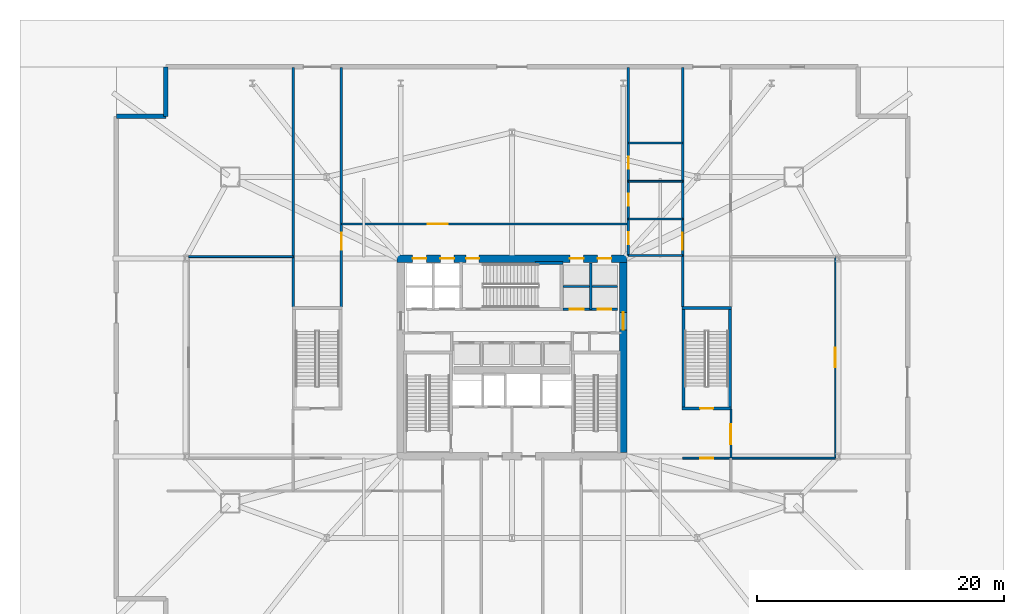
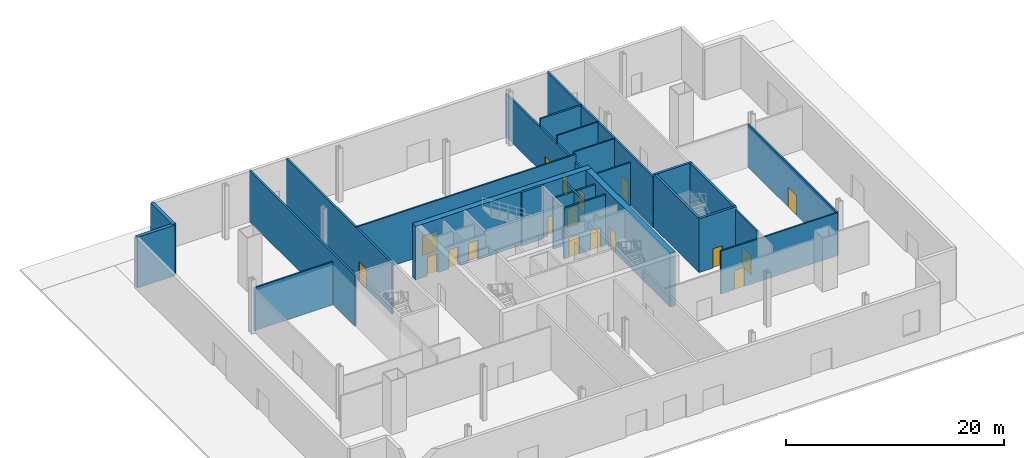
# One storey, part 5 of 10: 25 walls, 18 doors, 18 openings.
"""IFC4 building model written with IfcOpenShell, lengths in metres."""

from ifc_helpers import new_model, si_unit, direction, frame, frame_2d, origin, place, context, subcontext, project, spatial, rectangle, extrude, material, layer, layer_set, type_object, element, fill, save


model = new_model("IFC4")

# Units and contexts
model_context = context("Model", 3, precision=1e-05, world=origin(), true_north=direction((0.0, 1.0)))
body_context = subcontext(model_context, "Body", "Model", "MODEL_VIEW")
ifc_project = project(units=[si_unit("LENGTHUNIT", "METRE"), si_unit("AREAUNIT", "SQUARE_METRE"), si_unit("VOLUMEUNIT", "CUBIC_METRE"), si_unit("PLANEANGLEUNIT", "RADIAN"), si_unit("MASSUNIT", "GRAM", prefix="KILO")], contexts=[model_context])

# Site, building, storey
site_placement = place(None, origin())
site = spatial("IfcSite", under=ifc_project, at=site_placement, CompositionType="ELEMENT")
building_placement = place(site_placement, origin())
building = spatial("IfcBuilding", under=site, at=building_placement, Name="Haldenkirk Collegiate Tower", CompositionType="ELEMENT")
storey_placement = place(building_placement, origin())
storey = spatial("IfcBuildingStorey", under=building, at=storey_placement, Name="L00", CompositionType="ELEMENT", Elevation=0.0)

# Wall, openings, doors
ifc_material_1 = material(Name="Concrete f'c 70 MPa", Category="concrete")
ifc_layer_1 = layer(ifc_material_1, 0.60009765625)
ifc_layer_set_1 = layer_set([ifc_layer_1], Name="Concrete f'c 70 MPa")
wall_type_1 = type_object("IfcWallType", Name="WL-CORE-600", PredefinedType="SHEAR", material=ifc_layer_set_1)
wall_1_placement = place(storey_placement, frame((26.699951171875, 34.0, 0.0), z_axis=(0.0, 0.0, 1.0), x_axis=(1.0, 0.0, 0.0)))
wall_1 = element("IfcWall", 1, at=wall_1_placement, inside=storey, type_object=wall_type_1, Name="L00 central core shear wall N", PredefinedType="SHEAR", context=body_context, shape_type="SweptSolid", body=[
    extrude(rectangle(XDim=18.60009765625, YDim=0.60009765625, at=frame_2d((9.300048828125, 0.0))), origin(), (0.0, 0.0, 1.0), 6.0),
])
opening_1_placement = place(wall_1_placement, frame((5.594970703125, 0.0, 0.0)))
opening_1 = element("IfcOpeningElement", 2, at=opening_1_placement, cuts=wall_1, Name="Opening D-01", PredefinedType="OPENING", context=body_context, shape_type="SweptSolid", body=[
    extrude(rectangle(XDim=1.050048828125, YDim=2.14990234375, at=frame_2d((0.52490234375, 1.074951171875))), frame((0.0, 0.31005859375, 0.0), z_axis=(0.0, -1.0, 0.0), x_axis=(1.0, 0.0, 0.0)), (0.0, 0.0, 1.0), 0.6201171875),
])
opening_2_placement = place(wall_1_placement, frame((1.264892578125, 0.0, 0.0)))
opening_2 = element("IfcOpeningElement", 3, at=opening_2_placement, cuts=wall_1, Name="Opening LD-11", PredefinedType="OPENING", context=body_context, shape_type="SweptSolid", body=[
    extrude(rectangle(XDim=1.10009765625, YDim=2.14990234375, at=frame_2d((0.550048828125, 1.074951171875))), frame((0.0, 0.31005859375, 0.0), z_axis=(0.0, -1.0, 0.0), x_axis=(1.0, 0.0, 0.0)), (0.0, 0.0, 1.0), 0.6201171875),
])
opening_3_placement = place(wall_1_placement, frame((3.514892578125, 0.0, 0.0)))
opening_3 = element("IfcOpeningElement", 4, at=opening_3_placement, cuts=wall_1, Name="Opening LD-11", PredefinedType="OPENING", context=body_context, shape_type="SweptSolid", body=[
    extrude(rectangle(XDim=1.10009765625, YDim=2.14990234375, at=frame_2d((0.550048828125, 1.074951171875))), frame((0.0, 0.31005859375, 0.0), z_axis=(0.0, -1.0, 0.0), x_axis=(1.0, 0.0, 0.0)), (0.0, 0.0, 1.0), 0.6201171875),
])
opening_4_placement = place(wall_1_placement, frame((13.985107421875, 0.0, 0.0)))
opening_4 = element("IfcOpeningElement", 5, at=opening_4_placement, cuts=wall_1, Name="Opening LD-11", PredefinedType="OPENING", context=body_context, shape_type="SweptSolid", body=[
    extrude(rectangle(XDim=1.10009765625, YDim=2.14990234375, at=frame_2d((0.550048828125, 1.074951171875))), frame((0.0, 0.31005859375, 0.0), z_axis=(0.0, -1.0, 0.0), x_axis=(1.0, 0.0, 0.0)), (0.0, 0.0, 1.0), 0.6201171875),
])
opening_5_placement = place(wall_1_placement, frame((16.235107421875, 0.0, 0.0)))
opening_5 = element("IfcOpeningElement", 6, at=opening_5_placement, cuts=wall_1, Name="Opening LD-11", PredefinedType="OPENING", context=body_context, shape_type="SweptSolid", body=[
    extrude(rectangle(XDim=1.10009765625, YDim=2.14990234375, at=frame_2d((0.550048828125, 1.074951171875))), frame((0.0, 0.31005859375, 0.0), z_axis=(0.0, -1.0, 0.0), x_axis=(1.0, 0.0, 0.0)), (0.0, 0.0, 1.0), 0.6201171875),
])
ifc_material_2 = material(Name="Galvanized fire-rated hollow steel door", Category="steel")
ifc_layer_2 = layer(ifc_material_2, 0.06005859375)
ifc_layer_set_2 = layer_set([ifc_layer_2], Name="Galvanized fire-rated hollow steel door")
door_type_1 = type_object("IfcDoorType", Name="DR-STAIR-FD90-1050", OperationType="NOTDEFINED", PredefinedType="DOOR", material=ifc_layer_set_2)
door_1_placement = place(opening_1_placement, origin())
door_1 = element("IfcDoor", 7, at=door_1_placement, inside=storey, type_object=door_type_1, Name="L00 Stair 3 north discharge door", OperationType="SINGLE_SWING_RIGHT", OverallHeight=2.14990234375, OverallWidth=1.050048828125, PredefinedType="DOOR", context=body_context, shape_type="SweptSolid", body=[
    extrude(rectangle(XDim=1.050048828125, YDim=2.14990234375, at=frame_2d((0.52490234375, 1.074951171875))), frame((0.0, 0.02490234375, 0.0), z_axis=(0.0, -1.0, 0.0), x_axis=(1.0, 0.0, 0.0)), (0.0, 0.0, 1.0), 0.050048828125),
])
fill(opening_1, door_1)
ifc_material_3 = material(Name="Brushed architectural stainless steel", Category="steel")
ifc_layer_3 = layer(ifc_material_3, 0.06005859375)
ifc_layer_set_3 = layer_set([ifc_layer_3], Name="Brushed architectural stainless steel")
door_type_2 = type_object("IfcDoorType", Name="LD-PASS-1100", OperationType="NOTDEFINED", PredefinedType="DOOR", material=ifc_layer_set_3)
door_2_placement = place(opening_2_placement, origin())
door_2 = element("IfcDoor", 8, at=door_2_placement, inside=storey, type_object=door_type_2, Name="L00 Elevator PL3 sliding landing door", OperationType="SLIDING_TO_LEFT", OverallHeight=2.14990234375, OverallWidth=1.10009765625, PredefinedType="DOOR", context=body_context, shape_type="SweptSolid", body=[
    extrude(rectangle(XDim=1.10009765625, YDim=2.14990234375, at=frame_2d((0.550048828125, 1.074951171875))), frame((0.0, 0.02490234375, 0.0), z_axis=(0.0, -1.0, 0.0), x_axis=(1.0, 0.0, 0.0)), (0.0, 0.0, 1.0), 0.050048828125),
])
fill(opening_2, door_2)
door_3_placement = place(opening_3_placement, origin())
door_3 = element("IfcDoor", 9, at=door_3_placement, inside=storey, type_object=door_type_2, Name="L00 Elevator PL4 sliding landing door", OperationType="SLIDING_TO_LEFT", OverallHeight=2.14990234375, OverallWidth=1.10009765625, PredefinedType="DOOR", context=body_context, shape_type="SweptSolid", body=[
    extrude(rectangle(XDim=1.10009765625, YDim=2.14990234375, at=frame_2d((0.550048828125, 1.074951171875))), frame((0.0, 0.02490234375, 0.0), z_axis=(0.0, -1.0, 0.0), x_axis=(1.0, 0.0, 0.0)), (0.0, 0.0, 1.0), 0.050048828125),
])
fill(opening_3, door_3)
door_4_placement = place(opening_4_placement, origin())
door_4 = element("IfcDoor", 10, at=door_4_placement, inside=storey, type_object=door_type_2, Name="L00 Elevator PM3 sliding landing door", OperationType="SLIDING_TO_LEFT", OverallHeight=2.14990234375, OverallWidth=1.10009765625, PredefinedType="DOOR", context=body_context, shape_type="SweptSolid", body=[
    extrude(rectangle(XDim=1.10009765625, YDim=2.14990234375, at=frame_2d((0.550048828125, 1.074951171875))), frame((0.0, 0.02490234375, 0.0), z_axis=(0.0, -1.0, 0.0), x_axis=(1.0, 0.0, 0.0)), (0.0, 0.0, 1.0), 0.050048828125),
])
fill(opening_4, door_4)
door_5_placement = place(opening_5_placement, origin())
door_5 = element("IfcDoor", 11, at=door_5_placement, inside=storey, type_object=door_type_2, Name="L00 Elevator PM4 sliding landing door", OperationType="SLIDING_TO_LEFT", OverallHeight=2.14990234375, OverallWidth=1.10009765625, PredefinedType="DOOR", context=body_context, shape_type="SweptSolid", body=[
    extrude(rectangle(XDim=1.10009765625, YDim=2.14990234375, at=frame_2d((0.550048828125, 1.074951171875))), frame((0.0, 0.02490234375, 0.0), z_axis=(0.0, -1.0, 0.0), x_axis=(1.0, 0.0, 0.0)), (0.0, 0.0, 1.0), 0.050048828125),
])
fill(opening_5, door_5)

# Wall, opening, door
wall_2_placement = place(storey_placement, frame((45.0, 18.300048828125, 0.0), z_axis=(0.0, 0.0, 1.0), x_axis=(0.0, 1.0, 0.0)))
wall_2 = element("IfcWall", 12, at=wall_2_placement, inside=storey, type_object=wall_type_1, Name="L00 central core shear wall E", PredefinedType="SHEAR", context=body_context, shape_type="SweptSolid", body=[
    extrude(rectangle(XDim=15.39990234375, YDim=0.60009765625, at=frame_2d((7.699951171875, 0.0))), origin(), (0.0, 0.0, 1.0), 6.0),
])
opening_6_placement = place(wall_2_placement, frame((9.93994140625, 0.0, 0.0)))
opening_6 = element("IfcOpeningElement", 13, at=opening_6_placement, cuts=wall_2, Name="Opening D-03", PredefinedType="OPENING", context=body_context, shape_type="SweptSolid", body=[
    extrude(rectangle(XDim=1.39990234375, YDim=2.199951171875, at=frame_2d((0.699951171875, 1.10009765625))), frame((0.0, 0.31005859375, 0.0), z_axis=(0.0, -1.0, 0.0), x_axis=(1.0, 0.0, 0.0)), (0.0, 0.0, 1.0), 0.6201171875),
])
ifc_layer_4 = layer(ifc_material_2, 0.06005859375)
ifc_layer_set_4 = layer_set([ifc_layer_4], Name="Galvanized fire-rated hollow steel door")
door_type_3 = type_object("IfcDoorType", Name="DR-LOBBY-FD90-1400", OperationType="NOTDEFINED", PredefinedType="DOOR", material=ifc_layer_set_4)
door_6_placement = place(opening_6_placement, origin())
door_6 = element("IfcDoor", 14, at=door_6_placement, inside=storey, type_object=door_type_3, Name="L00 east lift lobby portal", OperationType="DOUBLE_DOOR_SINGLE_SWING", OverallHeight=2.199951171875, OverallWidth=1.39990234375, PredefinedType="DOOR", context=body_context, shape_type="SweptSolid", body=[
    extrude(rectangle(XDim=1.39990234375, YDim=2.199951171875, at=frame_2d((0.699951171875, 1.10009765625))), frame((0.0, 0.02490234375, 0.0), z_axis=(0.0, -1.0, 0.0), x_axis=(1.0, 0.0, 0.0)), (0.0, 0.0, 1.0), 0.050048828125),
])
fill(opening_6, door_6)

# Walls
ifc_material_4 = material(Name="Precast concrete f'c 40 MPa", Category="concrete")
ifc_layer_5 = layer(ifc_material_4, 0.360107421875)
ifc_layer_set_5 = layer_set([ifc_layer_5], Name="Precast concrete f'c 40 MPa")
wall_type_2 = type_object("IfcWallType", Name="WL-EXT-POD-360", PredefinedType="STANDARD", material=ifc_layer_set_5)
for number, where, z_axis, x_axis, name in (
    (15, (8.0, 45.5, 0.0), (0.0, 0.0, 1.0), (0.0, 1.0, 0.0), "L00 podium bronze precast wall 08"),
    (16, (4.0, 45.5, 0.0), (0.0, 0.0, 1.0), (1.0, 0.0, 0.0), "L00 podium bronze precast wall 09"),
):
    element("IfcWall", number, at=place(storey_placement, frame(where, z_axis=z_axis, x_axis=x_axis)), inside=storey, type_object=wall_type_2, Name=name, PredefinedType="STANDARD", context=body_context, shape_type="SweptSolid", body=[
        extrude(rectangle(XDim=4.0, YDim=0.360107421875, at=frame_2d((2.0, 0.0))), origin(), (0.0, 0.0, 1.0), 5.669921875),
    ])
ifc_material_5 = material(Name="Acoustic fire-rated gypsum partition", Category="concrete")
ifc_layer_6 = layer(ifc_material_5, 0.159912109375)
ifc_layer_set_6 = layer_set([ifc_layer_6], Name="Acoustic fire-rated gypsum partition")
wall_type_3 = type_object("IfcWallType", Name="WL-INT-CORR-160", PredefinedType="PARTITIONING", material=ifc_layer_set_6)
wall_3_placement = place(storey_placement, frame((9.85009765625, 34.14990234375, 0.0), z_axis=(0.0, 0.0, 1.0), x_axis=(1.0, 0.0, 0.0)))
element("IfcWall", 17, at=wall_3_placement, inside=storey, type_object=wall_type_3, Name="L00 interior partition IW-L00-LT1N", PredefinedType="PARTITIONING", context=body_context, shape_type="SweptSolid", body=[
    extrude(rectangle(XDim=8.449951171875, YDim=0.159912109375, at=frame_2d((4.22509765625, 0.0))), origin(), (0.0, 0.0, 1.0), 4.802978515625),
])

# Wall, opening, door
wall_4_placement = place(storey_placement, frame((53.699951171875, 17.85009765625, 0.0), z_axis=(0.0, 0.0, 1.0), x_axis=(0.0, 1.0, 0.0)))
wall_4 = element("IfcWall", 18, at=wall_4_placement, inside=storey, type_object=wall_type_3, Name="L00 interior partition IW-L00-LT2W", PredefinedType="PARTITIONING", context=body_context, shape_type="SweptSolid", body=[
    extrude(rectangle(XDim=3.969970703125, YDim=0.159912109375, at=frame_2d((1.98486328125, 0.0))), origin(), (0.0, 0.0, 1.0), 5.669921875),
])
opening_7_placement = place(wall_4_placement, frame((1.14990234375, 0.0, 0.0)))
opening_7 = element("IfcOpeningElement", 19, at=opening_7_placement, cuts=wall_4, Name="Opening D-08", PredefinedType="OPENING", context=body_context, shape_type="SweptSolid", body=[
    extrude(rectangle(XDim=1.60009765625, YDim=2.199951171875, at=frame_2d((0.800048828125, 1.10009765625))), frame((0.0, 0.08984375, 0.0), z_axis=(0.0, -1.0, 0.0), x_axis=(1.0, 0.0, 0.0)), (0.0, 0.0, 1.0), 0.179931640625),
])
ifc_material_6 = material(Name="Solid-core architectural oak fire door", Category="wood")
ifc_layer_7 = layer(ifc_material_6, 0.06005859375)
ifc_layer_set_7 = layer_set([ifc_layer_7], Name="Solid-core architectural oak fire door")
door_type_4 = type_object("IfcDoorType", Name="DR-DBL-FD60-1600", OperationType="NOTDEFINED", PredefinedType="DOOR", material=ifc_layer_set_7)
door_7_placement = place(opening_7_placement, origin())
door_7 = element("IfcDoor", 20, at=door_7_placement, inside=storey, type_object=door_type_4, Name="LT-02 main double door", OperationType="DOUBLE_DOOR_SINGLE_SWING", OverallHeight=2.199951171875, OverallWidth=1.60009765625, PredefinedType="DOOR", context=body_context, shape_type="SweptSolid", body=[
    extrude(rectangle(XDim=1.60009765625, YDim=2.199951171875, at=frame_2d((0.800048828125, 1.10009765625))), frame((0.0, 0.02490234375, 0.0), z_axis=(0.0, -1.0, 0.0), x_axis=(1.0, 0.0, 0.0)), (0.0, 0.0, 1.0), 0.050048828125),
])
fill(opening_7, door_7)

wall_5_placement = place(storey_placement, frame((49.800048828125, 17.85009765625, 0.0), z_axis=(0.0, 0.0, 1.0), x_axis=(1.0, 0.0, 0.0)))
wall_5 = element("IfcWall", 21, at=wall_5_placement, inside=storey, type_object=wall_type_3, Name="L00 interior partition IW-L00-LT2S", PredefinedType="PARTITIONING", context=body_context, shape_type="SweptSolid", body=[
    extrude(rectangle(XDim=12.349853515625, YDim=0.159912109375, at=frame_2d((6.1748046875, 0.0))), origin(), (0.0, 0.0, 1.0), 4.802978515625),
])
opening_8_placement = place(wall_5_placement, frame((1.425048828125, 0.0, 0.0)))
opening_8 = element("IfcOpeningElement", 22, at=opening_8_placement, cuts=wall_5, Name="Opening D-01", PredefinedType="OPENING", context=body_context, shape_type="SweptSolid", body=[
    extrude(rectangle(XDim=1.050048828125, YDim=2.14990234375, at=frame_2d((0.52490234375, 1.074951171875))), frame((0.0, 0.08984375, 0.0), z_axis=(0.0, -1.0, 0.0), x_axis=(1.0, 0.0, 0.0)), (0.0, 0.0, 1.0), 0.179931640625),
])
door_8_placement = place(opening_8_placement, origin())
door_8 = element("IfcDoor", 23, at=door_8_placement, inside=storey, type_object=door_type_1, Name="L00 Stair 5 exit vestibule door", OperationType="SINGLE_SWING_RIGHT", OverallHeight=2.14990234375, OverallWidth=1.050048828125, PredefinedType="DOOR", context=body_context, shape_type="SweptSolid", body=[
    extrude(rectangle(XDim=1.050048828125, YDim=2.14990234375, at=frame_2d((0.52490234375, 1.074951171875))), frame((0.0, 0.02490234375, 0.0), z_axis=(0.0, -1.0, 0.0), x_axis=(1.0, 0.0, 0.0)), (0.0, 0.0, 1.0), 0.050048828125),
])
fill(opening_8, door_8)

wall_6_placement = place(storey_placement, frame((62.14990234375, 17.85009765625, 0.0), z_axis=(0.0, 0.0, 1.0), x_axis=(0.0, 1.0, 0.0)))
wall_6 = element("IfcWall", 24, at=wall_6_placement, inside=storey, type_object=wall_type_3, Name="L00 interior partition IW-L00-LT2E", PredefinedType="PARTITIONING", context=body_context, shape_type="SweptSolid", body=[
    extrude(rectangle(XDim=16.2998046875, YDim=0.159912109375, at=frame_2d((8.14990234375, 0.0))), origin(), (0.0, 0.0, 1.0), 4.802978515625),
])
opening_9_placement = place(wall_6_placement, frame((7.35009765625, 0.0, 0.0)))
opening_9 = element("IfcOpeningElement", 25, at=opening_9_placement, cuts=wall_6, Name="Opening D-08", PredefinedType="OPENING", context=body_context, shape_type="SweptSolid", body=[
    extrude(rectangle(XDim=1.60009765625, YDim=2.199951171875, at=frame_2d((0.800048828125, 1.10009765625))), frame((0.0, 0.08984375, 0.0), z_axis=(0.0, -1.0, 0.0), x_axis=(1.0, 0.0, 0.0)), (0.0, 0.0, 1.0), 0.179931640625),
])
door_9_placement = place(opening_9_placement, origin())
door_9 = element("IfcDoor", 26, at=door_9_placement, inside=storey, type_object=door_type_4, Name="LT-02 east exit door", OperationType="DOUBLE_DOOR_SINGLE_SWING", OverallHeight=2.199951171875, OverallWidth=1.60009765625, PredefinedType="DOOR", context=body_context, shape_type="SweptSolid", body=[
    extrude(rectangle(XDim=1.60009765625, YDim=2.199951171875, at=frame_2d((0.800048828125, 1.10009765625))), frame((0.0, 0.02490234375, 0.0), z_axis=(0.0, -1.0, 0.0), x_axis=(1.0, 0.0, 0.0)), (0.0, 0.0, 1.0), 0.050048828125),
])
fill(opening_9, door_9)

# Wall
wall_7_placement = place(storey_placement, frame((45.419921875, 34.25, 0.0), z_axis=(0.0, 0.0, 1.0), x_axis=(1.0, 0.0, 0.0)))
element("IfcWall", 27, at=wall_7_placement, inside=storey, type_object=wall_type_3, Name="L00 interior partition IW-L00-WCMS", PredefinedType="PARTITIONING", context=body_context, shape_type="SweptSolid", body=[
    extrude(rectangle(XDim=4.380126953125, YDim=0.159912109375, at=frame_2d((2.18994140625, 0.0))), origin(), (0.0, 0.0, 1.0), 4.802978515625),
])

# Wall, opening, door
wall_8_placement = place(storey_placement, frame((22.199951171875, 36.800048828125, 0.0), z_axis=(0.0, 0.0, 1.0), x_axis=(1.0, 0.0, 0.0)))
wall_8 = element("IfcWall", 28, at=wall_8_placement, inside=storey, type_object=wall_type_3, Name="L00 interior partition IW-L00-NCMS", PredefinedType="PARTITIONING", context=body_context, shape_type="SweptSolid", body=[
    extrude(rectangle(XDim=23.219970703125, YDim=0.159912109375, at=frame_2d((11.60986328125, 0.0))), origin(), (0.0, 0.0, 1.0), 5.669921875),
])
opening_10_placement = place(wall_8_placement, frame((7.0, 0.0, 0.0)))
opening_10 = element("IfcOpeningElement", 29, at=opening_10_placement, cuts=wall_8, Name="Opening D-08", PredefinedType="OPENING", context=body_context, shape_type="SweptSolid", body=[
    extrude(rectangle(XDim=1.60009765625, YDim=2.199951171875, at=frame_2d((0.800048828125, 1.10009765625))), frame((0.0, 0.08984375, 0.0), z_axis=(0.0, -1.0, 0.0), x_axis=(1.0, 0.0, 0.0)), (0.0, 0.0, 1.0), 0.179931640625),
])
door_10_placement = place(opening_10_placement, origin())
door_10 = element("IfcDoor", 30, at=door_10_placement, inside=storey, type_object=door_type_4, Name="North Commons double door", OperationType="DOUBLE_DOOR_SINGLE_SWING", OverallHeight=2.199951171875, OverallWidth=1.60009765625, PredefinedType="DOOR", context=body_context, shape_type="SweptSolid", body=[
    extrude(rectangle(XDim=1.60009765625, YDim=2.199951171875, at=frame_2d((0.800048828125, 1.10009765625))), frame((0.0, 0.02490234375, 0.0), z_axis=(0.0, -1.0, 0.0), x_axis=(1.0, 0.0, 0.0)), (0.0, 0.0, 1.0), 0.050048828125),
])
fill(opening_10, door_10)

# Walls
ifc_layer_8 = layer(ifc_material_5, 0.139892578125)
ifc_layer_set_8 = layer_set([ifc_layer_8], Name="Acoustic fire-rated gypsum partition")
wall_type_4 = type_object("IfcWallType", Name="WL-INT-DIV-140", PredefinedType="PARTITIONING", material=ifc_layer_set_8)
for number, where, z_axis, x_axis, name in (
    (31, (45.419921875, 37.199951171875, 0.0), (0.0, 0.0, 1.0), (1.0, 0.0, 0.0), "L00 interior partition IW-L00-WCN1"),
    (32, (45.419921875, 40.25, 0.0), (0.0, 0.0, 1.0), (1.0, 0.0, 0.0), "L00 interior partition IW-L00-WCN2"),
):
    element("IfcWall", number, at=place(storey_placement, frame(where, z_axis=z_axis, x_axis=x_axis)), inside=storey, type_object=wall_type_4, Name=name, PredefinedType="PARTITIONING", context=body_context, shape_type="SweptSolid", body=[
        extrude(rectangle(XDim=4.380126953125, YDim=0.139892578125, at=frame_2d((2.18994140625, 0.0))), origin(), (0.0, 0.0, 1.0), 5.669921875),
    ])

# Wall, openings, doors
ifc_material_7 = material(Name="Fire-rated gypsum shaftboard assembly", Category="concrete")
ifc_layer_9 = layer(ifc_material_7, 0.179931640625)
ifc_layer_set_9 = layer_set([ifc_layer_9], Name="Fire-rated gypsum shaftboard assembly")
wall_type_5 = type_object("IfcWallType", Name="WL-INT-SHAFT-180", PredefinedType="PARTITIONING", material=ifc_layer_set_9)
wall_9_placement = place(storey_placement, frame((40.1201171875, 29.89990234375, 0.0), z_axis=(0.0, 0.0, 1.0), x_axis=(1.0, 0.0, 0.0)))
wall_9 = element("IfcWall", 33, at=wall_9_placement, inside=storey, type_object=wall_type_5, Name="L00 interior partition IW-L00-PMS", PredefinedType="PARTITIONING", context=body_context, shape_type="SweptSolid", body=[
    extrude(rectangle(XDim=4.429931640625, YDim=0.179931640625, at=frame_2d((2.21484375, 0.0))), origin(), (0.0, 0.0, 1.0), 5.669921875),
])
opening_11_placement = place(wall_9_placement, frame((0.56494140625, 0.0, 0.0)))
opening_11 = element("IfcOpeningElement", 34, at=opening_11_placement, cuts=wall_9, Name="Opening LD-11", PredefinedType="OPENING", context=body_context, shape_type="SweptSolid", body=[
    extrude(rectangle(XDim=1.10009765625, YDim=2.14990234375, at=frame_2d((0.550048828125, 1.074951171875))), frame((0.0, 0.099853515625, 0.0), z_axis=(0.0, -1.0, 0.0), x_axis=(1.0, 0.0, 0.0)), (0.0, 0.0, 1.0), 0.199951171875),
])
opening_12_placement = place(wall_9_placement, frame((2.81494140625, 0.0, 0.0)))
opening_12 = element("IfcOpeningElement", 35, at=opening_12_placement, cuts=wall_9, Name="Opening LD-11", PredefinedType="OPENING", context=body_context, shape_type="SweptSolid", body=[
    extrude(rectangle(XDim=1.10009765625, YDim=2.14990234375, at=frame_2d((0.550048828125, 1.074951171875))), frame((0.0, 0.099853515625, 0.0), z_axis=(0.0, -1.0, 0.0), x_axis=(1.0, 0.0, 0.0)), (0.0, 0.0, 1.0), 0.199951171875),
])
door_11_placement = place(opening_11_placement, origin())
door_11 = element("IfcDoor", 36, at=door_11_placement, inside=storey, type_object=door_type_2, Name="L00 Elevator PM1 sliding landing door", OperationType="SLIDING_TO_LEFT", OverallHeight=2.14990234375, OverallWidth=1.10009765625, PredefinedType="DOOR", context=body_context, shape_type="SweptSolid", body=[
    extrude(rectangle(XDim=1.10009765625, YDim=2.14990234375, at=frame_2d((0.550048828125, 1.074951171875))), frame((0.0, 0.02490234375, 0.0), z_axis=(0.0, -1.0, 0.0), x_axis=(1.0, 0.0, 0.0)), (0.0, 0.0, 1.0), 0.050048828125),
])
fill(opening_11, door_11)
door_12_placement = place(opening_12_placement, origin())
door_12 = element("IfcDoor", 37, at=door_12_placement, inside=storey, type_object=door_type_2, Name="L00 Elevator PM2 sliding landing door", OperationType="SLIDING_TO_LEFT", OverallHeight=2.14990234375, OverallWidth=1.10009765625, PredefinedType="DOOR", context=body_context, shape_type="SweptSolid", body=[
    extrude(rectangle(XDim=1.10009765625, YDim=2.14990234375, at=frame_2d((0.550048828125, 1.074951171875))), frame((0.0, 0.02490234375, 0.0), z_axis=(0.0, -1.0, 0.0), x_axis=(1.0, 0.0, 0.0)), (0.0, 0.0, 1.0), 0.050048828125),
])
fill(opening_12, door_12)

# Walls
wall_10_placement = place(storey_placement, frame((40.1201171875, 31.75, 0.0), z_axis=(0.0, 0.0, 1.0), x_axis=(1.0, 0.0, 0.0)))
element("IfcWall", 38, at=wall_10_placement, inside=storey, type_object=wall_type_5, Name="L00 interior partition IW-L00-PMM", PredefinedType="PARTITIONING", context=body_context, shape_type="SweptSolid", body=[
    extrude(rectangle(XDim=4.429931640625, YDim=0.179931640625, at=frame_2d((2.21484375, 0.0))), origin(), (0.0, 0.0, 1.0), 5.669921875),
])
wall_11_placement = place(storey_placement, frame((42.3701171875, 29.89990234375, 0.0), z_axis=(0.0, 0.0, 1.0), x_axis=(0.0, 1.0, 0.0)))
element("IfcWall", 39, at=wall_11_placement, inside=storey, type_object=wall_type_5, Name="L00 interior partition IW-L00-PMV", PredefinedType="PARTITIONING", context=body_context, shape_type="SweptSolid", body=[
    extrude(rectangle(XDim=3.75, YDim=0.179931640625, at=frame_2d((1.875, 0.0))), origin(), (0.0, 0.0, 1.0), 5.669921875),
])
ifc_layer_10 = layer(ifc_material_7, 0.199951171875)
ifc_layer_set_10 = layer_set([ifc_layer_10], Name="Fire-rated gypsum shaftboard assembly")
wall_type_6 = type_object("IfcWallType", Name="WL-INT-SHAFT-200", PredefinedType="PARTITIONING", material=ifc_layer_set_10)
wall_12_placement = place(storey_placement, frame((18.300048828125, 30.080078125, 0.0), z_axis=(0.0, 0.0, 1.0), x_axis=(0.0, 1.0, 0.0)))
element("IfcWall", 40, at=wall_12_placement, inside=storey, type_object=wall_type_6, Name="L00 interior partition IW-L00-EP3W", PredefinedType="PARTITIONING", context=body_context, shape_type="SweptSolid", body=[
    extrude(rectangle(XDim=19.369873046875, YDim=0.199951171875, at=frame_2d((9.68505859375, 0.0))), origin(), (0.0, 0.0, 1.0), 5.669921875),
])

# Wall, opening, door
wall_13_placement = place(storey_placement, frame((22.199951171875, 30.080078125, 0.0), z_axis=(0.0, 0.0, 1.0), x_axis=(0.0, 1.0, 0.0)))
wall_13 = element("IfcWall", 41, at=wall_13_placement, inside=storey, type_object=wall_type_6, Name="L00 interior partition IW-L00-EP3E", PredefinedType="PARTITIONING", context=body_context, shape_type="SweptSolid", body=[
    extrude(rectangle(XDim=19.369873046875, YDim=0.199951171875, at=frame_2d((9.68505859375, 0.0))), origin(), (0.0, 0.0, 1.0), 5.669921875),
])
opening_13_placement = place(wall_13_placement, frame((4.6201171875, 0.0, 0.0)))
opening_13 = element("IfcOpeningElement", 42, at=opening_13_placement, cuts=wall_13, Name="Opening D-03", PredefinedType="OPENING", context=body_context, shape_type="SweptSolid", body=[
    extrude(rectangle(XDim=1.39990234375, YDim=2.199951171875, at=frame_2d((0.699951171875, 1.10009765625))), frame((0.0, 0.10986328125, 0.0), z_axis=(0.0, -1.0, 0.0), x_axis=(1.0, 0.0, 0.0)), (0.0, 0.0, 1.0), 0.219970703125),
])
door_13_placement = place(opening_13_placement, origin())
door_13 = element("IfcDoor", 43, at=door_13_placement, inside=storey, type_object=door_type_3, Name="L00 exit passage NW door", OperationType="DOUBLE_DOOR_SINGLE_SWING", OverallHeight=2.199951171875, OverallWidth=1.39990234375, PredefinedType="DOOR", context=body_context, shape_type="SweptSolid", body=[
    extrude(rectangle(XDim=1.39990234375, YDim=2.199951171875, at=frame_2d((0.699951171875, 1.10009765625))), frame((0.0, 0.02490234375, 0.0), z_axis=(0.0, -1.0, 0.0), x_axis=(1.0, 0.0, 0.0)), (0.0, 0.0, 1.0), 0.050048828125),
])
fill(opening_13, door_13)

wall_14_placement = place(storey_placement, frame((49.800048828125, 30.080078125, 0.0), z_axis=(0.0, 0.0, 1.0), x_axis=(0.0, 1.0, 0.0)))
wall_14 = element("IfcWall", 44, at=wall_14_placement, inside=storey, type_object=wall_type_6, Name="L00 interior partition IW-L00-EP4W", PredefinedType="PARTITIONING", context=body_context, shape_type="SweptSolid", body=[
    extrude(rectangle(XDim=19.369873046875, YDim=0.199951171875, at=frame_2d((9.68505859375, 0.0))), origin(), (0.0, 0.0, 1.0), 5.669921875),
])
opening_14_placement = place(wall_14_placement, frame((4.6201171875, 0.0, 0.0)))
opening_14 = element("IfcOpeningElement", 45, at=opening_14_placement, cuts=wall_14, Name="Opening D-03", PredefinedType="OPENING", context=body_context, shape_type="SweptSolid", body=[
    extrude(rectangle(XDim=1.39990234375, YDim=2.199951171875, at=frame_2d((0.699951171875, 1.10009765625))), frame((0.0, 0.10986328125, 0.0), z_axis=(0.0, -1.0, 0.0), x_axis=(1.0, 0.0, 0.0)), (0.0, 0.0, 1.0), 0.219970703125),
])
door_14_placement = place(opening_14_placement, origin())
door_14 = element("IfcDoor", 46, at=door_14_placement, inside=storey, type_object=door_type_3, Name="L00 exit passage NE door", OperationType="DOUBLE_DOOR_SINGLE_SWING", OverallHeight=2.199951171875, OverallWidth=1.39990234375, PredefinedType="DOOR", context=body_context, shape_type="SweptSolid", body=[
    extrude(rectangle(XDim=1.39990234375, YDim=2.199951171875, at=frame_2d((0.699951171875, 1.10009765625))), frame((0.0, 0.02490234375, 0.0), z_axis=(0.0, -1.0, 0.0), x_axis=(1.0, 0.0, 0.0)), (0.0, 0.0, 1.0), 0.050048828125),
])
fill(opening_14, door_14)

# Wall, openings, doors
wall_15_placement = place(storey_placement, frame((45.419921875, 34.25, 0.0), z_axis=(0.0, 0.0, 1.0), x_axis=(0.0, 1.0, 0.0)))
wall_15 = element("IfcWall", 47, at=wall_15_placement, inside=storey, type_object=wall_type_6, Name="L00 interior partition IW-L00-FCCW", PredefinedType="PARTITIONING", context=body_context, shape_type="SweptSolid", body=[
    extrude(rectangle(XDim=15.199951171875, YDim=0.199951171875, at=frame_2d((7.60009765625, 0.0))), origin(), (0.0, 0.0, 1.0), 4.802978515625),
])
opening_15_placement = place(wall_15_placement, frame((0.925048828125, 0.0, 0.0)))
opening_15 = element("IfcOpeningElement", 48, at=opening_15_placement, cuts=wall_15, Name="Opening D-12", PredefinedType="OPENING", context=body_context, shape_type="SweptSolid", body=[
    extrude(rectangle(XDim=0.949951171875, YDim=2.14990234375, at=frame_2d((0.47509765625, 1.074951171875))), frame((0.0, 0.10986328125, 0.0), z_axis=(0.0, -1.0, 0.0), x_axis=(1.0, 0.0, 0.0)), (0.0, 0.0, 1.0), 0.219970703125),
])
opening_16_placement = place(wall_15_placement, frame((4.02490234375, 0.0, 0.0)))
opening_16 = element("IfcOpeningElement", 49, at=opening_16_placement, cuts=wall_15, Name="Opening D-12", PredefinedType="OPENING", context=body_context, shape_type="SweptSolid", body=[
    extrude(rectangle(XDim=0.949951171875, YDim=2.14990234375, at=frame_2d((0.47509765625, 1.074951171875))), frame((0.0, 0.10986328125, 0.0), z_axis=(0.0, -1.0, 0.0), x_axis=(1.0, 0.0, 0.0)), (0.0, 0.0, 1.0), 0.219970703125),
])
opening_17_placement = place(wall_15_placement, frame((7.0, 0.0, 0.0)))
opening_17 = element("IfcOpeningElement", 50, at=opening_17_placement, cuts=wall_15, Name="Opening D-14", PredefinedType="OPENING", context=body_context, shape_type="SweptSolid", body=[
    extrude(rectangle(XDim=1.0, YDim=2.14990234375, at=frame_2d((0.5, 1.074951171875))), frame((0.0, 0.10986328125, 0.0), z_axis=(0.0, -1.0, 0.0), x_axis=(1.0, 0.0, 0.0)), (0.0, 0.0, 1.0), 0.219970703125),
])
ifc_layer_11 = layer(ifc_material_6, 0.06005859375)
ifc_layer_set_11 = layer_set([ifc_layer_11], Name="Solid-core architectural oak fire door")
door_type_5 = type_object("IfcDoorType", Name="DR-INT-ACC-1000", OperationType="NOTDEFINED", PredefinedType="DOOR", material=ifc_layer_set_11)
door_15_placement = place(opening_17_placement, origin())
door_15 = element("IfcDoor", 51, at=door_15_placement, inside=storey, type_object=door_type_5, Name="Ground Accessible WC door", OperationType="SINGLE_SWING_RIGHT", OverallHeight=2.14990234375, OverallWidth=1.0, PredefinedType="DOOR", context=body_context, shape_type="SweptSolid", body=[
    extrude(rectangle(XDim=1.0, YDim=2.14990234375, at=frame_2d((0.5, 1.074951171875))), frame((0.0, 0.02490234375, 0.0), z_axis=(0.0, -1.0, 0.0), x_axis=(1.0, 0.0, 0.0)), (0.0, 0.0, 1.0), 0.050048828125),
])
fill(opening_17, door_15)
ifc_layer_12 = layer(ifc_material_6, 0.06005859375)
ifc_layer_set_12 = layer_set([ifc_layer_12], Name="Solid-core architectural oak fire door")
door_type_6 = type_object("IfcDoorType", Name="DR-INT-STD-950", OperationType="NOTDEFINED", PredefinedType="DOOR", material=ifc_layer_set_12)
door_16_placement = place(opening_15_placement, origin())
door_16 = element("IfcDoor", 52, at=door_16_placement, inside=storey, type_object=door_type_6, Name="Ground Male WC door", OperationType="SINGLE_SWING_RIGHT", OverallHeight=2.14990234375, OverallWidth=0.949951171875, PredefinedType="DOOR", context=body_context, shape_type="SweptSolid", body=[
    extrude(rectangle(XDim=0.949951171875, YDim=2.14990234375, at=frame_2d((0.47509765625, 1.074951171875))), frame((0.0, 0.02490234375, 0.0), z_axis=(0.0, -1.0, 0.0), x_axis=(1.0, 0.0, 0.0)), (0.0, 0.0, 1.0), 0.050048828125),
])
fill(opening_15, door_16)
door_17_placement = place(opening_16_placement, origin())
door_17 = element("IfcDoor", 53, at=door_17_placement, inside=storey, type_object=door_type_6, Name="Ground Female WC door", OperationType="SINGLE_SWING_LEFT", OverallHeight=2.14990234375, OverallWidth=0.949951171875, PredefinedType="DOOR", context=body_context, shape_type="SweptSolid", body=[
    extrude(rectangle(XDim=0.949951171875, YDim=2.14990234375, at=frame_2d((0.47509765625, 1.074951171875))), frame((0.0, 0.02490234375, 0.0), z_axis=(0.0, -1.0, 0.0), x_axis=(1.0, 0.0, 0.0)), (0.0, 0.0, 1.0), 0.050048828125),
])
fill(opening_16, door_17)

# Walls
wall_16_placement = place(storey_placement, frame((45.419921875, 43.35009765625, 0.0), z_axis=(0.0, 0.0, 1.0), x_axis=(1.0, 0.0, 0.0)))
element("IfcWall", 54, at=wall_16_placement, inside=storey, type_object=wall_type_6, Name="L00 interior partition IW-L00-FCCS", PredefinedType="PARTITIONING", context=body_context, shape_type="SweptSolid", body=[
    extrude(rectangle(XDim=4.380126953125, YDim=0.199951171875, at=frame_2d((2.18994140625, 0.0))), origin(), (0.0, 0.0, 1.0), 5.669921875),
])
ifc_material_8 = material(Name="Concrete f'c 55 MPa", Category="concrete")
ifc_layer_13 = layer(ifc_material_8, 0.239990234375)
ifc_layer_set_13 = layer_set([ifc_layer_13], Name="Concrete f'c 55 MPa")
wall_type_7 = type_object("IfcWallType", Name="WL-SHAFT-240", PredefinedType="SHEAR", material=ifc_layer_set_13)
wall_17_placement = place(storey_placement, frame((37.85009765625, 33.659912109375, 0.0), z_axis=(0.0, 0.0, 1.0), x_axis=(1.0, 0.0, 0.0)))
element("IfcWall", 55, at=wall_17_placement, inside=storey, type_object=wall_type_7, Name="L00 stair shaft shear wall SW-L00-ST3N", PredefinedType="SHEAR", context=body_context, shape_type="SweptSolid", body=[
    extrude(rectangle(XDim=2.289794921875, YDim=0.239990234375, at=frame_2d((1.14501953125, 0.0))), origin(), (0.0, 0.0, 1.0), 6.0),
])
for number, where, z_axis, x_axis, name in (
    (56, (49.8798828125, 21.760009765625, 0.0), (0.0, 0.0, 1.0), (0.0, 1.0, 0.0), "L00 stair shaft shear wall SW-L00-ST5W"),
    (57, (53.6201171875, 21.760009765625, 0.0), (0.0, 0.0, 1.0), (0.0, 1.0, 0.0), "L00 stair shaft shear wall SW-L00-ST5E"),
):
    element("IfcWall", number, at=place(storey_placement, frame(where, z_axis=z_axis, x_axis=x_axis)), inside=storey, type_object=wall_type_7, Name=name, PredefinedType="SHEAR", context=body_context, shape_type="SweptSolid", body=[
        extrude(rectangle(XDim=8.3798828125, YDim=0.239990234375, at=frame_2d((4.18994140625, 0.0))), origin(), (0.0, 0.0, 1.0), 6.0),
    ])

# Wall, opening, door
wall_18_placement = place(storey_placement, frame((49.760009765625, 21.8798828125, 0.0), z_axis=(0.0, 0.0, 1.0), x_axis=(1.0, 0.0, 0.0)))
wall_18 = element("IfcWall", 58, at=wall_18_placement, inside=storey, type_object=wall_type_7, Name="L00 stair shaft shear wall SW-L00-ST5S", PredefinedType="SHEAR", context=body_context, shape_type="SweptSolid", body=[
    extrude(rectangle(XDim=3.97998046875, YDim=0.239990234375, at=frame_2d((1.989990234375, 0.0))), origin(), (0.0, 0.0, 1.0), 6.0),
])
opening_18_placement = place(wall_18_placement, frame((1.465087890625, 0.0, 0.0)))
opening_18 = element("IfcOpeningElement", 59, at=opening_18_placement, cuts=wall_18, Name="Opening D-01", PredefinedType="OPENING", context=body_context, shape_type="SweptSolid", body=[
    extrude(rectangle(XDim=1.050048828125, YDim=2.14990234375, at=frame_2d((0.52490234375, 1.074951171875))), frame((0.0, 0.1298828125, 0.0), z_axis=(0.0, -1.0, 0.0), x_axis=(1.0, 0.0, 0.0)), (0.0, 0.0, 1.0), 0.260009765625),
])
door_18_placement = place(opening_18_placement, origin())
door_18 = element("IfcDoor", 60, at=door_18_placement, inside=storey, type_object=door_type_1, Name="L00 Stair 5 discharge door", OperationType="SINGLE_SWING_RIGHT", OverallHeight=2.14990234375, OverallWidth=1.050048828125, PredefinedType="DOOR", context=body_context, shape_type="SweptSolid", body=[
    extrude(rectangle(XDim=1.050048828125, YDim=2.14990234375, at=frame_2d((0.52490234375, 1.074951171875))), frame((0.0, 0.02490234375, 0.0), z_axis=(0.0, -1.0, 0.0), x_axis=(1.0, 0.0, 0.0)), (0.0, 0.0, 1.0), 0.050048828125),
])
fill(opening_18, door_18)

# Wall
wall_19_placement = place(storey_placement, frame((49.760009765625, 30.02001953125, 0.0), z_axis=(0.0, 0.0, 1.0), x_axis=(1.0, 0.0, 0.0)))
element("IfcWall", 61, at=wall_19_placement, inside=storey, type_object=wall_type_7, Name="L00 stair shaft shear wall SW-L00-ST5N", PredefinedType="SHEAR", context=body_context, shape_type="SweptSolid", body=[
    extrude(rectangle(XDim=3.97998046875, YDim=0.239990234375, at=frame_2d((1.989990234375, 0.0))), origin(), (0.0, 0.0, 1.0), 6.0),
])

save(model, "model.ifc")
